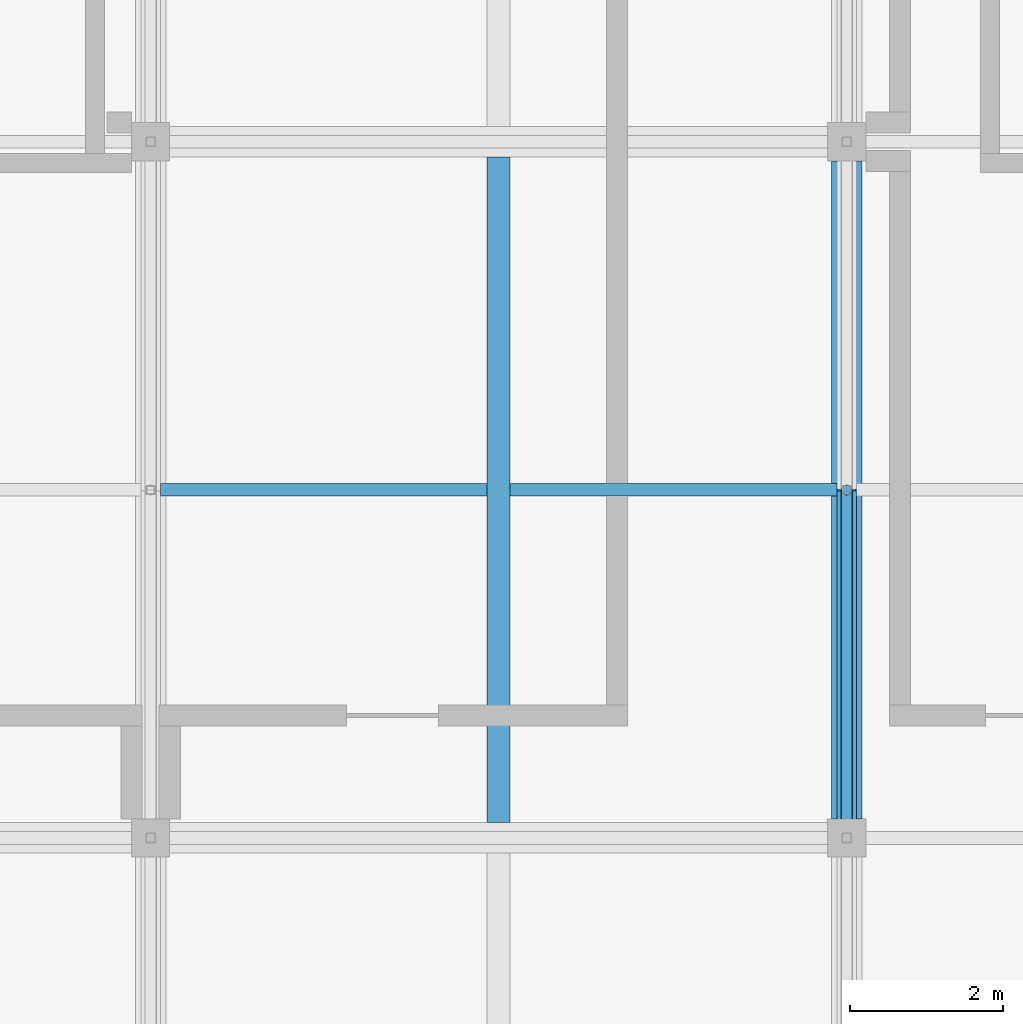
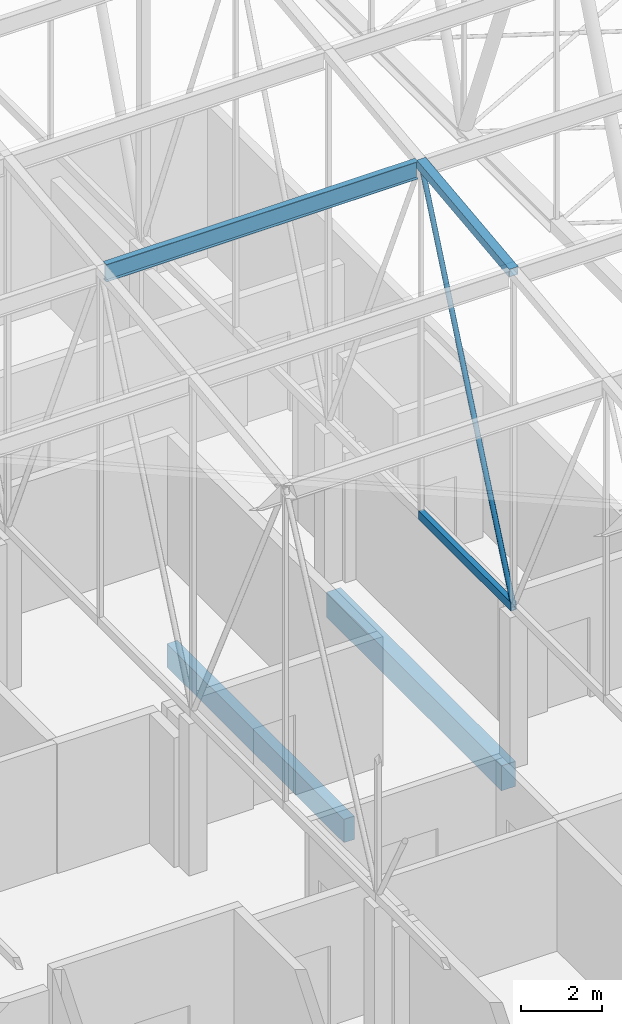
# One storey, part 43 of 500: 4 members, 2 beams.
"""IFC4 building model written with IfcOpenShell, lengths in metres."""

from ifc_helpers import new_model, si_unit, direction, frame, origin, origin_2d, place, context, subcontext, project, spatial, rectangle, hollow_rectangle, hollow_circle, i_section, extrude, material, material_profile, profile_set, type_object, element, save


model = new_model("IFC4")

# Units and contexts
model_context = context("Model", 3, precision=1e-05, world=origin(), true_north=direction((0.0, 1.0)))
body_context = subcontext(model_context, "Body", "Model", "MODEL_VIEW")
ifc_project = project(units=[si_unit("LENGTHUNIT", "METRE"), si_unit("AREAUNIT", "SQUARE_METRE"), si_unit("VOLUMEUNIT", "CUBIC_METRE"), si_unit("PLANEANGLEUNIT", "RADIAN"), si_unit("MASSUNIT", "GRAM", prefix="KILO")], contexts=[model_context])

# Site, building, storey
site_placement = place(None, origin())
site = spatial("IfcSite", under=ifc_project, at=site_placement, CompositionType="ELEMENT")
building_placement = place(site_placement, origin())
building = spatial("IfcBuilding", under=site, at=building_placement, Name="Shirokan Park Arena", CompositionType="ELEMENT")
storey_placement = place(building_placement, frame((0.0, 0.0, 29.1201171875)))
storey = spatial("IfcBuildingStorey", under=building, at=storey_placement, Name="L06", CompositionType="ELEMENT", Elevation=29.1201171875)

# Members
ifc_material_1 = material(Name="Steel ASTM A500 Grade C", Category="steel")
ifc_material_profile_1 = material_profile(ifc_material_1, hollow_rectangle(XDim=0.152099609375, YDim=0.25390625, WallThickness=0.009521484375, at=origin_2d()), Name="HSS254X152.4X9.5")
ifc_profile_set_1 = profile_set([ifc_material_profile_1], Name="Steel ASTM A500 Grade C")
member_type_1 = type_object("IfcMemberType", Name="Bottom chord HSS254X152.4X9.5", PredefinedType="CHORD", material=ifc_profile_set_1)
member_1_placement = place(storey_placement, frame((36.39990234375, 18.199951171875, 4.677001953125), z_axis=(0.0, 1.0, 0.0), x_axis=(-1.0, 0.0, 0.0)))
element("IfcMember", 1, at=member_1_placement, inside=storey, type_object=member_type_1, Name="Truss T05 bottom chord 7", PredefinedType="CHORD", context=body_context, shape_type="SweptSolid", body=[
    extrude(hollow_rectangle(XDim=0.152099609375, YDim=0.25390625, WallThickness=0.009521484375, at=origin_2d()), origin(), (0.0, 0.0, 1.0), 4.550048828125),
])
ifc_material_2 = material(Name="Steel ASTM A992", Category="steel")
ifc_material_profile_2 = material_profile(ifc_material_2, i_section(OverallWidth=0.166015625, OverallDepth=0.528076171875, WebThickness=0.009765625, FlangeThickness=0.013671875, at=origin_2d()), Name="W530X74")
ifc_profile_set_2 = profile_set([ifc_material_profile_2], Name="Steel ASTM A992")
member_type_2 = type_object("IfcMemberType", Name="Purlin W530X74", PredefinedType="PURLIN", material=ifc_profile_set_2)
member_2_placement = place(storey_placement, frame((27.427001953125, 22.75, 15.0859375), z_axis=(1.0, 0.0, 0.0), x_axis=(0.0, 1.0, 0.0)))
element("IfcMember", 2, at=member_2_placement, inside=storey, type_object=member_type_2, Name="Purlin 8 bay 4", PredefinedType="PURLIN", context=body_context, shape_type="SweptSolid", body=[
    extrude(i_section(OverallWidth=0.166015625, OverallDepth=0.528076171875, WebThickness=0.009765625, FlangeThickness=0.013671875, at=origin_2d()), origin(), (0.0, 0.0, 1.0), 8.845947265625),
])

# Beams
ifc_material_3 = material(Name="Concrete C35", Category="concrete")
ifc_material_profile_3 = material_profile(ifc_material_3, rectangle(XDim=0.39990234375, YDim=0.75, at=origin_2d()), Name="400x750")
ifc_profile_set_3 = profile_set([ifc_material_profile_3], Name="Concrete C35")
beam_type_1 = type_object("IfcBeamType", Name="RC girder 400x750", PredefinedType="BEAM", material=ifc_profile_set_3)
beam_1_placement = place(storey_placement, frame((36.39990234375, 18.4501953125, -0.5751953125), z_axis=(0.0, 1.0, 0.0), x_axis=(-1.0, 0.0, 0.0)))
element("IfcBeam", 3, at=beam_1_placement, inside=storey, type_object=beam_type_1, Name="Girder 5C-5D L06", PredefinedType="BEAM", context=body_context, shape_type="SweptSolid", body=[
    extrude(rectangle(XDim=0.39990234375, YDim=0.75, at=origin_2d()), origin(), (0.0, 0.0, 1.0), 8.599609375),
])
ifc_material_profile_4 = material_profile(ifc_material_3, rectangle(XDim=0.300048828125, YDim=0.699951171875, at=origin_2d()), Name="300x700")
ifc_profile_set_4 = profile_set([ifc_material_profile_4], Name="Concrete C35")
beam_type_2 = type_object("IfcBeamType", Name="RC joist 300x700", PredefinedType="JOIST", material=ifc_profile_set_4)
beam_2_placement = place(storey_placement, frame((31.85009765625, 18.39990234375, -0.550048828125), z_axis=(0.0, 1.0, 0.0), x_axis=(-1.0, 0.0, 0.0)))
element("IfcBeam", 4, at=beam_2_placement, inside=storey, type_object=beam_type_2, Name="Joist 5C L06", PredefinedType="JOIST", context=body_context, shape_type="SweptSolid", body=[
    extrude(rectangle(XDim=0.300048828125, YDim=0.699951171875, at=origin_2d()), origin(), (0.0, 0.0, 1.0), 8.7001953125),
])

# Members
ifc_material_profile_5 = material_profile(ifc_material_1, hollow_rectangle(XDim=0.25390625, YDim=0.25390625, WallThickness=0.009521484375, at=origin_2d()), Name="HSS254X254X9.5")
ifc_profile_set_5 = profile_set([ifc_material_profile_5], Name="Steel ASTM A500 Grade C")
member_type_3 = type_object("IfcMemberType", Name="Top chord HSS254X254X9.5", PredefinedType="CHORD", material=ifc_profile_set_5)
member_3_placement = place(storey_placement, frame((36.39990234375, 18.199951171875, 14.702880859375), z_axis=(0.0, 0.993532328996, 0.113549598152), x_axis=(-1.0, 0.0, 0.0)))
element("IfcMember", 5, at=member_3_placement, inside=storey, type_object=member_type_3, Name="Truss T05 top chord 7", PredefinedType="CHORD", context=body_context, shape_type="SweptSolid", body=[
    extrude(hollow_rectangle(XDim=0.25390625, YDim=0.25390625, WallThickness=0.009521484375, at=origin_2d()), origin(), (0.0, 0.0, 1.0), 4.57958984375),
])
ifc_material_profile_6 = material_profile(ifc_material_1, hollow_circle(Radius=0.070556640625, WallThickness=0.006591796875, at=origin_2d()), Name="HSS141.3X6.6")
ifc_profile_set_6 = profile_set([ifc_material_profile_6], Name="Steel ASTM A500 Grade C")
member_type_4 = type_object("IfcMemberType", Name="Truss diagonal HSS141.3X6.6", PredefinedType="BRACE", material=ifc_profile_set_6)
member_4_placement = place(storey_placement, frame((36.39990234375, 18.199951171875, 4.677001953125), z_axis=(0.0, 0.396152605513, 0.918184683572), x_axis=(-1.0, 0.0, 0.0)))
element("IfcMember", 6, at=member_4_placement, inside=storey, type_object=member_type_4, Name="Truss T05 diagonal 7", PredefinedType="BRACE", context=body_context, shape_type="SweptSolid", body=[
    extrude(hollow_circle(Radius=0.070556640625, WallThickness=0.006591796875, at=origin_2d()), origin(), (0.0, 0.0, 1.0), 11.485595703125),
])

save(model, "model.ifc")
